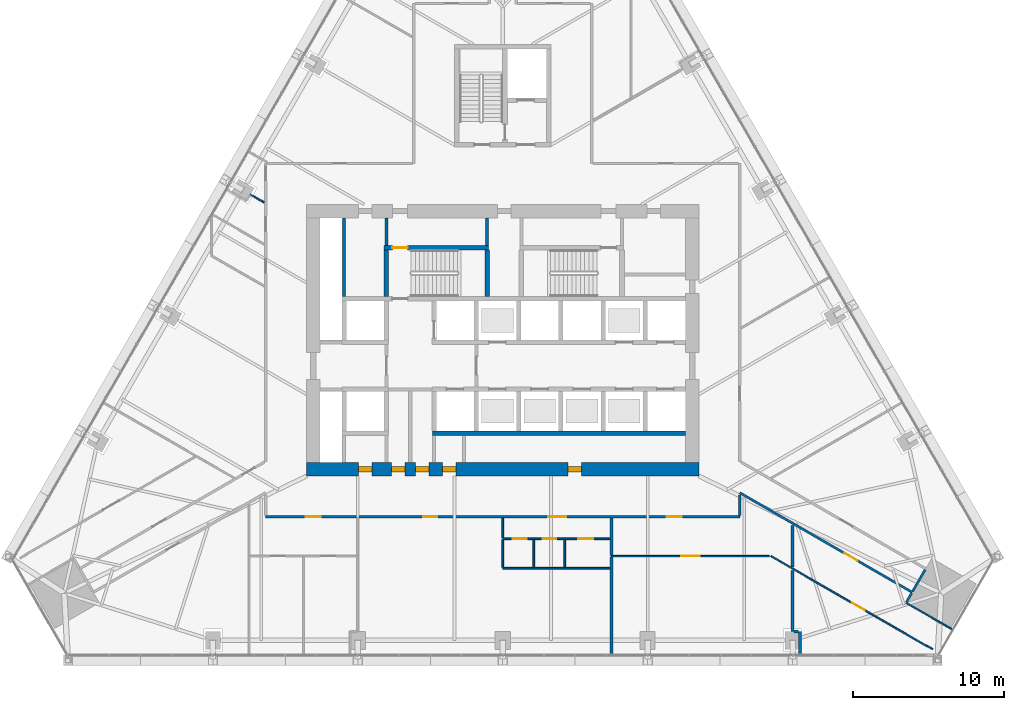
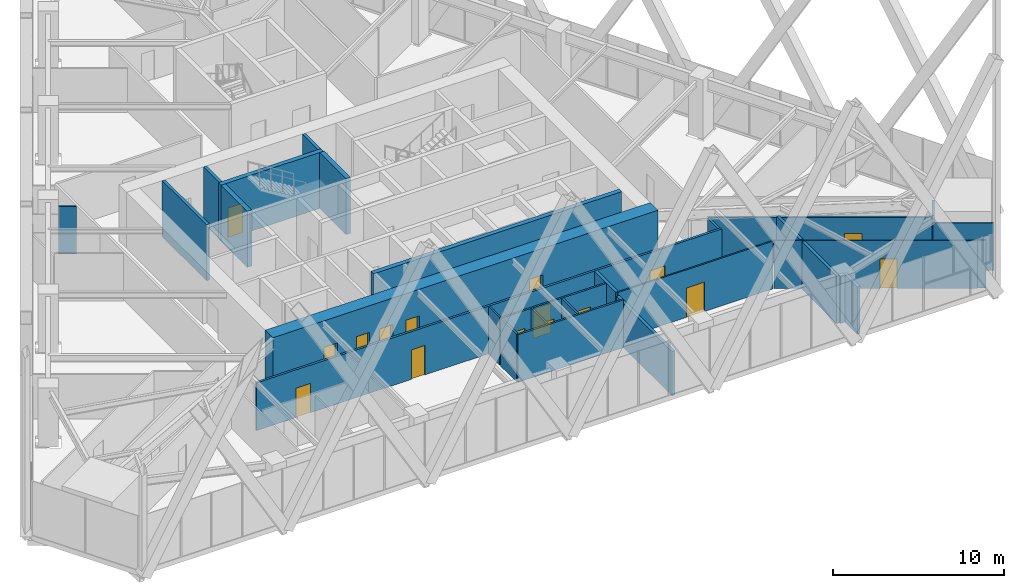
# One storey, part 18 of 26: 30 walls, 16 doors, 16 openings.
"""IFC4 building model written with IfcOpenShell, lengths in metres."""

import ifcopenshell
import ifcopenshell.guid

model = None  # the IFC model being written
_history = None  # IfcOwnerHistory: only IFC2X3 demands one
_inside = {}  # id of a spatial element -> (the spatial element, [elements in it])
_under = {}  # id of a project, library or spatial element -> (it, [spatial elements below it])
_declared = {}  # id of a project -> (the project, [libraries it declares])
_typed = {}  # id of a type object -> (the type object, [elements of that type])
_made_of = {}  # id of a material, layer set ... -> (it, [elements and type objects made of it])


def new_model(schema):
    """Start an empty IFC model of exactly this schema.

    Asked for "IFC4X3", IfcOpenShell would pick the latest addendum, in which some entities
    have other attributes; the version numbers below select the first issue.
    IFC2X3 requires an IfcOwnerHistory on every rooted entity: one is made here for all.
    """
    global model, _history
    if schema == "IFC4X3":
        model = ifcopenshell.file(schema_version=(4, 3, 0, 0))
    else:
        model = ifcopenshell.file(schema=schema)
    _inside.clear()
    _under.clear()
    _declared.clear()
    _typed.clear()
    _made_of.clear()
    _history = None
    if model.schema == "IFC2X3":
        org = make("IfcOrganization", Name="unknown")
        user = make(
            "IfcPersonAndOrganization",
            ThePerson=make("IfcPerson", FamilyName="unknown"),
            TheOrganization=org,
        )
        app = make(
            "IfcApplication",
            ApplicationDeveloper=org,
            Version="unknown",
            ApplicationFullName="unknown",
            ApplicationIdentifier="unknown",
        )
        _history = make(
            "IfcOwnerHistory",
            OwningUser=user,
            OwningApplication=app,
            ChangeAction="ADDED",
            CreationDate=0,
        )
    return model


def make(cls, **values):
    """One entity of the class cls with the attributes given. An attribute that is None is left unset."""
    return model.create_entity(
        cls, **{name: value for name, value in values.items() if value is not None}
    )


def rooted(cls, **values):
    """An entity with a GlobalId (a new one), such as an element, a storey or a relation."""
    return make(cls, GlobalId=ifcopenshell.guid.new(), OwnerHistory=_history, **values)


def si_unit(unit_type, name, prefix=None):
    """IfcSIUnit, for example si_unit("LENGTHUNIT", "METRE", prefix="MILLI")."""
    return make("IfcSIUnit", UnitType=unit_type, Prefix=prefix, Name=name)


def assignment(units):
    """IfcUnitAssignment: the units of a project."""
    return None if units is None else make("IfcUnitAssignment", Units=units)


def point(xyz):
    """IfcCartesianPoint."""
    return None if xyz is None else make("IfcCartesianPoint", Coordinates=xyz)


def direction(xyz):
    """IfcDirection."""
    return None if xyz is None else make("IfcDirection", DirectionRatios=xyz)


def frame(location, z_axis=None, x_axis=None):
    """IfcAxis2Placement3D, a coordinate frame: its origin and axes. An axis left out is left unset."""
    return make(
        "IfcAxis2Placement3D",
        Location=point(location),
        Axis=direction(z_axis),
        RefDirection=direction(x_axis),
    )


def frame_2d(location, x_axis=None):
    """IfcAxis2Placement2D, a coordinate frame in the plane: its origin and x axis."""
    return make(
        "IfcAxis2Placement2D", Location=point(location), RefDirection=direction(x_axis)
    )


def origin():
    """The frame at (0, 0, 0) with its axes left unset."""
    return frame((0.0, 0.0, 0.0))


def place(relative_to, where):
    """IfcLocalPlacement: puts the frame where relative to a parent placement (None: the world)."""
    return make(
        "IfcLocalPlacement", PlacementRelTo=relative_to, RelativePlacement=where
    )


def context(
    kind, dimensions, precision=None, world=None, true_north=None, identifier=None
):
    """IfcGeometricRepresentationContext, for example the 3D "Model" context."""
    return make(
        "IfcGeometricRepresentationContext",
        ContextIdentifier=identifier,
        ContextType=kind,
        CoordinateSpaceDimension=dimensions,
        Precision=precision,
        WorldCoordinateSystem=world,
        TrueNorth=true_north,
    )


def subcontext(parent, identifier, kind, view, scale=None):
    """IfcGeometricRepresentationSubContext, for example "Body" below "Model"."""
    return make(
        "IfcGeometricRepresentationSubContext",
        ContextIdentifier=identifier,
        ContextType=kind,
        ParentContext=parent,
        TargetScale=scale,
        TargetView=view,
    )


def project(units=None, contexts=None):
    """IfcProject with its units and contexts."""
    return rooted(
        "IfcProject",
        Name="project",
        RepresentationContexts=contexts,
        UnitsInContext=assignment(units),
    )


def spatial(cls, under=None, at=None, **own):
    """A site, building, storey or space (cls), placed at a placement, below another one or the project."""
    s = rooted(cls, ObjectPlacement=at, **own)
    if under is not None:
        _under.setdefault(under.id(), (under, []))[1].append(s)
    return s


def profile(cls, at=None, kind="AREA", **sizes):
    """A parametric profile (cls). Its sizes go by their IFC names, for example OverallWidth=200.0."""
    return make(cls, ProfileType=kind, Position=at, **sizes)


def rectangle(**sizes):
    """IfcRectangleProfileDef."""
    return profile("IfcRectangleProfileDef", **sizes)


def extrude(swept, where, along, depth):
    """IfcExtrudedAreaSolid: the profile swept, set in the frame where, extruded along a direction by depth."""
    return make(
        "IfcExtrudedAreaSolid",
        SweptArea=swept,
        Position=where,
        ExtrudedDirection=direction(along),
        Depth=depth,
    )


def shape(context_of_items, identifier, shape_type, items):
    """IfcShapeRepresentation: the items that make up one representation, for example the "Body"."""
    return make(
        "IfcShapeRepresentation",
        ContextOfItems=context_of_items,
        RepresentationIdentifier=identifier,
        RepresentationType=shape_type,
        Items=items,
    )


def material(Name=None, Category=None):
    """IfcMaterial."""
    return make("IfcMaterial", Name=Name, Category=Category)


def layer(
    of_material, thickness, ventilated=None, Name=None, Category=None, Priority=None
):
    """IfcMaterialLayer: one layer of a wall or slab, of a material (None: an air gap)."""
    return make(
        "IfcMaterialLayer",
        Material=of_material,
        LayerThickness=thickness,
        IsVentilated=ventilated,
        Name=Name,
        Category=Category,
        Priority=Priority,
    )


def layer_set(layers, Name=None):
    """IfcMaterialLayerSet."""
    return make("IfcMaterialLayerSet", MaterialLayers=layers, LayerSetName=Name)


def made_of(thing, what):
    """Note that an element or type object is made of a material, layer set ...; save() writes the relation."""
    if what is not None:
        _made_of.setdefault(what.id(), (what, []))[1].append(thing)
    return thing


def type_object(cls, material=None, **own):
    """A type object (cls), such as IfcWallType, which elements share."""
    return made_of(rooted(cls, **own), material)


def element(
    cls,
    number,
    at=None,
    inside=None,
    cuts=None,
    type_object=None,
    material=None,
    context=None,
    identifier="Body",
    shape_type=None,
    held_by="IfcProductDefinitionShape",
    body=None,
    shapes=None,
    **own,
):
    """One element of the class cls, such as IfcWall. Its Tag is "e" and its number.

    at: its placement. inside: the storey or other place that contains it. cuts: it is an
    opening in that element (IfcRelVoidsElement). A single representation is given by context,
    identifier, shape_type and body (its items); several are given by shapes. held_by: the class
    of the entity that holds the representations. save() writes the other relations.
    """
    e = rooted(cls, Tag="e%d" % number, ObjectPlacement=at, **own)
    if body is not None:
        shapes = [shape(context, identifier, shape_type, body)]
    if shapes is not None:
        e.Representation = make(held_by, Representations=shapes)
    if inside is not None:
        _inside.setdefault(inside.id(), (inside, []))[1].append(e)
    if cuts is not None:
        rooted(
            "IfcRelVoidsElement", RelatingBuildingElement=cuts, RelatedOpeningElement=e
        )
    if type_object is not None:
        _typed.setdefault(type_object.id(), (type_object, []))[1].append(e)
    return made_of(e, material)


def fill(opening, filler):
    """IfcRelFillsElement: the door or window that sits in an opening."""
    return rooted(
        "IfcRelFillsElement",
        RelatingOpeningElement=opening,
        RelatedBuildingElement=filler,
    )


def aggregate(whole, parts):
    """IfcRelAggregates: a whole, such as a stair, and the parts it consists of."""
    return rooted("IfcRelAggregates", RelatingObject=whole, RelatedObjects=parts)


def save(model, path):
    """Write the relations noted so far, then the file.

    IfcRelAggregates (storeys below a building ...), IfcRelContainedInSpatialStructure (elements
    in a storey), IfcRelDefinesByType, IfcRelAssociatesMaterial and IfcRelDeclares: one each for
    every whole, place, type object, material and project.
    """
    for whole, parts in _under.values():
        aggregate(whole, parts)
    for where, things in _inside.values():
        rooted(
            "IfcRelContainedInSpatialStructure",
            RelatedElements=things,
            RelatingStructure=where,
        )
    for kind, things in _typed.values():
        rooted("IfcRelDefinesByType", RelatedObjects=things, RelatingType=kind)
    for what, things in _made_of.values():
        rooted("IfcRelAssociatesMaterial", RelatedObjects=things, RelatingMaterial=what)
    for by, libraries in _declared.values():
        rooted("IfcRelDeclares", RelatingContext=by, RelatedDefinitions=libraries)
    model.write(path)


model = new_model("IFC4")

# Units and contexts
model_context = context("Model", 3, precision=1e-05, world=origin(), true_north=direction((0.0, 1.0)))
body_context = subcontext(model_context, "Body", "Model", "MODEL_VIEW")
ifc_project = project(units=[si_unit("LENGTHUNIT", "METRE"), si_unit("AREAUNIT", "SQUARE_METRE"), si_unit("VOLUMEUNIT", "CUBIC_METRE"), si_unit("PLANEANGLEUNIT", "RADIAN"), si_unit("MASSUNIT", "GRAM", prefix="KILO")], contexts=[model_context])

# Site, building, storey
site_placement = place(None, origin())
site = spatial("IfcSite", under=ifc_project, at=site_placement, CompositionType="ELEMENT")
building_placement = place(site_placement, origin())
building = spatial("IfcBuilding", under=site, at=building_placement, Name="Firuza Gate Tower and Library", CompositionType="ELEMENT")
storey_placement = place(building_placement, frame((0.0, 0.0, 40.0)))
storey = spatial("IfcBuildingStorey", under=building, at=storey_placement, Name="L08", CompositionType="ELEMENT", Elevation=40.0)

# Walls
ifc_material_1 = material(Name="Plasterboard on steel studs", Category="steel")
ifc_layer_1 = layer(ifc_material_1, 0.199951171875)
ifc_layer_set_1 = layer_set([ifc_layer_1], Name="Core partition 200 EI 120")
wall_type_1 = type_object("IfcWallType", Name="Core partition 200 EI 120", PredefinedType="PARTITIONING", material=ifc_layer_set_1)
wall_1_placement = place(storey_placement, frame((64.5, 77.89990234375, 0.0), z_axis=(0.0, 0.0, 1.0), x_axis=(0.0, 1.0, 0.0)))
element("IfcWall", 1, at=wall_1_placement, inside=storey, type_object=wall_type_1, Name="Core partition L08 6", PredefinedType="PARTITIONING", context=body_context, shape_type="SweptSolid", body=[
    extrude(rectangle(XDim=5.2001953125, YDim=0.199951171875, at=frame_2d((2.60009765625, 0.0))), origin(), (0.0, 0.0, 1.0), 4.0),
])
for number, where, z_axis, x_axis, name in (
    (2, (67.300048828125, 81.280029296875, 0.0), (0.0, 0.0, 1.0), (0.0, 1.0, 0.0), "Core partition L08 9"),
    (3, (73.9599609375, 81.280029296875, 0.0), (0.0, 0.0, 1.0), (0.0, 1.0, 0.0), "Core partition L08 14"),
):
    element("IfcWall", number, at=place(storey_placement, frame(where, z_axis=z_axis, x_axis=x_axis)), inside=storey, type_object=wall_type_1, Name=name, PredefinedType="PARTITIONING", context=body_context, shape_type="SweptSolid", body=[
        extrude(rectangle(XDim=1.820068359375, YDim=0.199951171875, at=frame_2d((0.91015625, 0.0))), origin(), (0.0, 0.0, 1.0), 4.0),
    ])
ifc_material_2 = material(Name="Concrete C80/95", Category="concrete")
ifc_layer_2 = layer(ifc_material_2, 0.300048828125)
ifc_layer_set_2 = layer_set([ifc_layer_2], Name="Core wall 300 C80/95")
wall_type_2 = type_object("IfcWallType", Name="Core wall 300 C80/95", PredefinedType="SHEAR", material=ifc_layer_set_2)
wall_2_placement = place(storey_placement, frame((70.35009765625, 68.85009765625, 0.0), z_axis=(0.0, 0.0, 1.0), x_axis=(1.0, 0.0, 0.0)))
element("IfcWall", 4, at=wall_2_placement, inside=storey, type_object=wall_type_2, Name="Core wall L08 6", PredefinedType="SHEAR", context=body_context, shape_type="SweptSolid", body=[
    extrude(rectangle(XDim=16.75, YDim=0.300048828125, at=frame_2d((8.375, 0.0))), origin(), (0.0, 0.0, 1.0), 4.0),
])

# Wall, opening, door
wall_3_placement = place(storey_placement, frame((67.14990234375, 81.1298828125, 0.0), z_axis=(0.0, 0.0, 1.0), x_axis=(1.0, 0.0, 0.0)))
wall_3 = element("IfcWall", 5, at=wall_3_placement, inside=storey, type_object=wall_type_2, Name="Core wall L08 28", PredefinedType="SHEAR", context=body_context, shape_type="SweptSolid", body=[
    extrude(rectangle(XDim=6.91015625, YDim=0.300048828125, at=frame_2d((3.455078125, 0.0))), origin(), (0.0, 0.0, 1.0), 4.0),
])
opening_1_placement = place(wall_3_placement, frame((0.544921875, 0.0, 0.0)))
opening_1 = element("IfcOpeningElement", 6, at=opening_1_placement, cuts=wall_3, Name="Opening L08-K13", PredefinedType="OPENING", context=body_context, shape_type="SweptSolid", body=[
    extrude(rectangle(XDim=1.0, YDim=2.10009765625, at=frame_2d((0.5, 1.050048828125))), frame((0.0, 0.16015625, 0.0), z_axis=(0.0, -1.0, 0.0), x_axis=(1.0, 0.0, 0.0)), (0.0, 0.0, 1.0), 0.320068359375),
])
ifc_material_3 = material(Name="Steel", Category="steel")
door_type_1 = type_object("IfcDoorType", Name="Fire door 1000x2100 FD90", OperationType="NOTDEFINED", PredefinedType="DOOR", material=ifc_material_3)
door_1_placement = place(opening_1_placement, origin())
door_1 = element("IfcDoor", 7, at=door_1_placement, inside=storey, type_object=door_type_1, Name="Door L08-K13", OperationType="SINGLE_SWING_RIGHT", OverallHeight=2.10009765625, OverallWidth=1.0, PredefinedType="DOOR", context=body_context, shape_type="SweptSolid", body=[
    extrude(rectangle(XDim=1.0, YDim=2.10009765625, at=frame_2d((0.5, 1.050048828125))), frame((0.0, 0.02490234375, 0.0), z_axis=(0.0, -1.0, 0.0), x_axis=(1.0, 0.0, 0.0)), (0.0, 0.0, 1.0), 0.050048828125),
])
fill(opening_1, door_1)

# Walls
for number, where, z_axis, x_axis, name in (
    (8, (67.300048828125, 77.89990234375, 0.0), (0.0, 0.0, 1.0), (0.0, 1.0, 0.0), "Core wall L08 30"),
    (9, (73.9599609375, 77.89990234375, 0.0), (0.0, 0.0, 1.0), (0.0, 1.0, 0.0), "Core wall L08 31"),
):
    element("IfcWall", number, at=place(storey_placement, frame(where, z_axis=z_axis, x_axis=x_axis)), inside=storey, type_object=wall_type_2, Name=name, PredefinedType="SHEAR", context=body_context, shape_type="SweptSolid", body=[
        extrude(rectangle(XDim=3.080078125, YDim=0.300048828125, at=frame_2d((1.5400390625, 0.0))), origin(), (0.0, 0.0, 1.0), 4.0),
    ])

# Wall, openings, doors
ifc_material_4 = material(Name="Concrete C80/95", Category="concrete")
ifc_layer_3 = layer(ifc_material_4, 0.89990234375)
ifc_layer_set_3 = layer_set([ifc_layer_3], Name="Core wall 900 C80/95")
wall_type_3 = type_object("IfcWallType", Name="Core wall 900 C80/95", PredefinedType="SHEAR", material=ifc_layer_set_3)
wall_4_placement = place(storey_placement, frame((62.0, 66.449951171875, 0.0), z_axis=(0.0, 0.0, 1.0), x_axis=(1.0, 0.0, 0.0)))
wall_4 = element("IfcWall", 10, at=wall_4_placement, inside=storey, type_object=wall_type_3, Name="Core wall L08 1", PredefinedType="SHEAR", context=body_context, shape_type="SweptSolid", body=[
    extrude(rectangle(XDim=26.0, YDim=0.89990234375, at=frame_2d((13.0, 0.0))), origin(), (0.0, 0.0, 1.0), 4.0),
])
opening_2_placement = place(wall_4_placement, frame((3.449951171875, 0.0, 0.0)))
opening_2 = element("IfcOpeningElement", 11, at=opening_2_placement, cuts=wall_4, Name="Opening L08-K24", PredefinedType="OPENING", context=body_context, shape_type="SweptSolid", body=[
    extrude(rectangle(XDim=0.89990234375, YDim=2.10009765625, at=frame_2d((0.449951171875, 1.050048828125))), frame((0.0, 0.4599609375, 0.0), z_axis=(0.0, -1.0, 0.0), x_axis=(1.0, 0.0, 0.0)), (0.0, 0.0, 1.0), 0.919921875),
])
opening_3_placement = place(wall_4_placement, frame((5.637451171875, 0.0, 0.0)))
opening_3 = element("IfcOpeningElement", 12, at=opening_3_placement, cuts=wall_4, Name="Opening L08-K25", PredefinedType="OPENING", context=body_context, shape_type="SweptSolid", body=[
    extrude(rectangle(XDim=0.89990234375, YDim=2.10009765625, at=frame_2d((0.449951171875, 1.050048828125))), frame((0.0, 0.4599609375, 0.0), z_axis=(0.0, -1.0, 0.0), x_axis=(1.0, 0.0, 0.0)), (0.0, 0.0, 1.0), 0.919921875),
])
opening_4_placement = place(wall_4_placement, frame((7.21240234375, 0.0, 0.0)))
opening_4 = element("IfcOpeningElement", 13, at=opening_4_placement, cuts=wall_4, Name="Opening L08-K26", PredefinedType="OPENING", context=body_context, shape_type="SweptSolid", body=[
    extrude(rectangle(XDim=0.89990234375, YDim=2.10009765625, at=frame_2d((0.449951171875, 1.050048828125))), frame((0.0, 0.4599609375, 0.0), z_axis=(0.0, -1.0, 0.0), x_axis=(1.0, 0.0, 0.0)), (0.0, 0.0, 1.0), 0.919921875),
])
opening_5_placement = place(wall_4_placement, frame((8.9990234375, 0.0, 0.0)))
opening_5 = element("IfcOpeningElement", 14, at=opening_5_placement, cuts=wall_4, Name="Opening L08-K27", PredefinedType="OPENING", context=body_context, shape_type="SweptSolid", body=[
    extrude(rectangle(XDim=0.89990234375, YDim=2.10009765625, at=frame_2d((0.449951171875, 1.050048828125))), frame((0.0, 0.4599609375, 0.0), z_axis=(0.0, -1.0, 0.0), x_axis=(1.0, 0.0, 0.0)), (0.0, 0.0, 1.0), 0.919921875),
])
opening_6_placement = place(wall_4_placement, frame((17.323974609375, 0.0, 0.0)))
opening_6 = element("IfcOpeningElement", 15, at=opening_6_placement, cuts=wall_4, Name="Opening L08-K28", PredefinedType="OPENING", context=body_context, shape_type="SweptSolid", body=[
    extrude(rectangle(XDim=0.89990234375, YDim=2.10009765625, at=frame_2d((0.449951171875, 1.050048828125))), frame((0.0, 0.4599609375, 0.0), z_axis=(0.0, -1.0, 0.0), x_axis=(1.0, 0.0, 0.0)), (0.0, 0.0, 1.0), 0.919921875),
])
ifc_material_5 = material(Name="Steel", Category="steel")
door_type_2 = type_object("IfcDoorType", Name="Fire door 900x2100 FD30S", OperationType="NOTDEFINED", PredefinedType="DOOR", material=ifc_material_5)
door_2_placement = place(opening_2_placement, origin())
door_2 = element("IfcDoor", 16, at=door_2_placement, inside=storey, type_object=door_type_2, Name="Door L08-K24", OperationType="SINGLE_SWING_LEFT", OverallHeight=2.10009765625, OverallWidth=0.89990234375, PredefinedType="DOOR", context=body_context, shape_type="SweptSolid", body=[
    extrude(rectangle(XDim=0.89990234375, YDim=2.10009765625, at=frame_2d((0.449951171875, 1.050048828125))), frame((0.0, 0.169921875, 0.0), z_axis=(0.0, -1.0, 0.0), x_axis=(1.0, 0.0, 0.0)), (0.0, 0.0, 1.0), 0.33984375),
])
fill(opening_2, door_2)
door_3_placement = place(opening_3_placement, origin())
door_3 = element("IfcDoor", 17, at=door_3_placement, inside=storey, type_object=door_type_2, Name="Door L08-K25", OperationType="SINGLE_SWING_RIGHT", OverallHeight=2.10009765625, OverallWidth=0.89990234375, PredefinedType="DOOR", context=body_context, shape_type="SweptSolid", body=[
    extrude(rectangle(XDim=0.89990234375, YDim=2.10009765625, at=frame_2d((0.449951171875, 1.050048828125))), frame((0.0, 0.169921875, 0.0), z_axis=(0.0, -1.0, 0.0), x_axis=(1.0, 0.0, 0.0)), (0.0, 0.0, 1.0), 0.33984375),
])
fill(opening_3, door_3)
door_4_placement = place(opening_4_placement, origin())
door_4 = element("IfcDoor", 18, at=door_4_placement, inside=storey, type_object=door_type_2, Name="Door L08-K26", OperationType="SINGLE_SWING_LEFT", OverallHeight=2.10009765625, OverallWidth=0.89990234375, PredefinedType="DOOR", context=body_context, shape_type="SweptSolid", body=[
    extrude(rectangle(XDim=0.89990234375, YDim=2.10009765625, at=frame_2d((0.449951171875, 1.050048828125))), frame((0.0, 0.169921875, 0.0), z_axis=(0.0, -1.0, 0.0), x_axis=(1.0, 0.0, 0.0)), (0.0, 0.0, 1.0), 0.33984375),
])
fill(opening_4, door_4)
door_5_placement = place(opening_5_placement, origin())
door_5 = element("IfcDoor", 19, at=door_5_placement, inside=storey, type_object=door_type_2, Name="Door L08-K27", OperationType="SINGLE_SWING_RIGHT", OverallHeight=2.10009765625, OverallWidth=0.89990234375, PredefinedType="DOOR", context=body_context, shape_type="SweptSolid", body=[
    extrude(rectangle(XDim=0.89990234375, YDim=2.10009765625, at=frame_2d((0.449951171875, 1.050048828125))), frame((0.0, 0.169921875, 0.0), z_axis=(0.0, -1.0, 0.0), x_axis=(1.0, 0.0, 0.0)), (0.0, 0.0, 1.0), 0.33984375),
])
fill(opening_5, door_5)
door_6_placement = place(opening_6_placement, origin())
door_6 = element("IfcDoor", 20, at=door_6_placement, inside=storey, type_object=door_type_2, Name="Door L08-K28", OperationType="SINGLE_SWING_LEFT", OverallHeight=2.10009765625, OverallWidth=0.89990234375, PredefinedType="DOOR", context=body_context, shape_type="SweptSolid", body=[
    extrude(rectangle(XDim=0.89990234375, YDim=2.10009765625, at=frame_2d((0.449951171875, 1.050048828125))), frame((0.0, 0.169921875, 0.0), z_axis=(0.0, -1.0, 0.0), x_axis=(1.0, 0.0, 0.0)), (0.0, 0.0, 1.0), 0.33984375),
])
fill(opening_6, door_6)

ifc_material_6 = material(Name="Gypsum board partition")
ifc_layer_4 = layer(ifc_material_6, 0.14990234375)
ifc_layer_set_4 = layer_set([ifc_layer_4], Name="Corridor wall 150 double board on steel studs")
wall_type_4 = type_object("IfcWallType", Name="Corridor wall 150 double board on steel studs", PredefinedType="PARTITIONING", material=ifc_layer_set_4)
wall_5_placement = place(storey_placement, frame((90.699951171875, 63.300048828125, 0.0), z_axis=(0.0, 0.0, 1.0), x_axis=(-1.0, 0.0, 0.0)))
wall_5 = element("IfcWall", 21, at=wall_5_placement, inside=storey, type_object=wall_type_4, Name="f:L08:w006", PredefinedType="PARTITIONING", context=body_context, shape_type="SweptSolid", body=[
    extrude(rectangle(XDim=31.39990234375, YDim=0.14990234375, at=frame_2d((15.699951171875, 0.0))), origin(), (0.0, 0.0, 1.0), 3.39990234375),
])
opening_7_placement = place(wall_5_placement, frame((3.8515625, 0.0, 0.0)))
opening_7 = element("IfcOpeningElement", 22, at=opening_7_placement, cuts=wall_5, Name="Opening L08-07", PredefinedType="OPENING", context=body_context, shape_type="SweptSolid", body=[
    extrude(rectangle(XDim=1.0, YDim=2.10009765625, at=frame_2d((0.5, 1.050048828125))), frame((0.0, 0.0849609375, 0.0), z_axis=(0.0, -1.0, 0.0), x_axis=(1.0, 0.0, 0.0)), (0.0, 0.0, 1.0), 0.169921875),
])
opening_8_placement = place(wall_5_placement, frame((11.5, 0.0, 0.0)))
opening_8 = element("IfcOpeningElement", 23, at=opening_8_placement, cuts=wall_5, Name="Opening L08-08", PredefinedType="OPENING", context=body_context, shape_type="SweptSolid", body=[
    extrude(rectangle(XDim=1.199951171875, YDim=2.10009765625, at=frame_2d((0.60009765625, 1.050048828125))), frame((0.0, 0.0849609375, 0.0), z_axis=(0.0, -1.0, 0.0), x_axis=(1.0, 0.0, 0.0)), (0.0, 0.0, 1.0), 0.169921875),
])
opening_9_placement = place(wall_5_placement, frame((20.050048828125, 0.0, 0.0)))
opening_9 = element("IfcOpeningElement", 24, at=opening_9_placement, cuts=wall_5, Name="Opening L08-09", PredefinedType="OPENING", context=body_context, shape_type="SweptSolid", body=[
    extrude(rectangle(XDim=0.89990234375, YDim=2.10009765625, at=frame_2d((0.449951171875, 1.050048828125))), frame((0.0, 0.0849609375, 0.0), z_axis=(0.0, -1.0, 0.0), x_axis=(1.0, 0.0, 0.0)), (0.0, 0.0, 1.0), 0.169921875),
])
opening_10_placement = place(wall_5_placement, frame((27.74853515625, 0.0, 0.0)))
opening_10 = element("IfcOpeningElement", 25, at=opening_10_placement, cuts=wall_5, Name="Opening L08-10", PredefinedType="OPENING", context=body_context, shape_type="SweptSolid", body=[
    extrude(rectangle(XDim=1.0, YDim=2.10009765625, at=frame_2d((0.5, 1.050048828125))), frame((0.0, 0.0849609375, 0.0), z_axis=(0.0, -1.0, 0.0), x_axis=(1.0, 0.0, 0.0)), (0.0, 0.0, 1.0), 0.169921875),
])
ifc_material_7 = material(Name="Steel door and timber leaf", Category="steel")
door_type_3 = type_object("IfcDoorType", Name="Fire door 1000 x 2100 steel frame, timber leaf", OperationType="NOTDEFINED", PredefinedType="DOOR", material=ifc_material_7)
door_7_placement = place(opening_7_placement, origin())
door_7 = element("IfcDoor", 26, at=door_7_placement, inside=storey, type_object=door_type_3, Name="f:L08:d007", OperationType="SINGLE_SWING_RIGHT", OverallHeight=2.10009765625, OverallWidth=1.0, PredefinedType="DOOR", context=body_context, shape_type="SweptSolid", body=[
    extrude(rectangle(XDim=1.0, YDim=2.10009765625, at=frame_2d((0.5, 1.050048828125))), frame((0.0, 0.02490234375, 0.0), z_axis=(0.0, -1.0, 0.0), x_axis=(1.0, 0.0, 0.0)), (0.0, 0.0, 1.0), 0.050048828125),
])
fill(opening_7, door_7)
door_8_placement = place(opening_10_placement, origin())
door_8 = element("IfcDoor", 27, at=door_8_placement, inside=storey, type_object=door_type_3, Name="f:L08:d010", OperationType="SINGLE_SWING_LEFT", OverallHeight=2.10009765625, OverallWidth=1.0, PredefinedType="DOOR", context=body_context, shape_type="SweptSolid", body=[
    extrude(rectangle(XDim=1.0, YDim=2.10009765625, at=frame_2d((0.5, 1.050048828125))), frame((0.0, 0.02490234375, 0.0), z_axis=(0.0, -1.0, 0.0), x_axis=(1.0, 0.0, 0.0)), (0.0, 0.0, 1.0), 0.050048828125),
])
fill(opening_10, door_8)
ifc_material_8 = material(Name="Steel door and timber leaf", Category="steel")
door_type_4 = type_object("IfcDoorType", Name="Fire door 1200 x 2100 steel frame, double leaf", OperationType="NOTDEFINED", PredefinedType="DOOR", material=ifc_material_8)
door_9_placement = place(opening_8_placement, origin())
door_9 = element("IfcDoor", 28, at=door_9_placement, inside=storey, type_object=door_type_4, Name="f:L08:d008", OperationType="DOUBLE_DOOR_SINGLE_SWING", OverallHeight=2.10009765625, OverallWidth=1.199951171875, PredefinedType="DOOR", context=body_context, shape_type="SweptSolid", body=[
    extrude(rectangle(XDim=1.199951171875, YDim=2.10009765625, at=frame_2d((0.60009765625, 1.050048828125))), frame((0.0, 0.02490234375, 0.0), z_axis=(0.0, -1.0, 0.0), x_axis=(1.0, 0.0, 0.0)), (0.0, 0.0, 1.0), 0.050048828125),
])
fill(opening_8, door_9)
ifc_material_9 = material(Name="Steel door and timber leaf", Category="steel")
door_type_5 = type_object("IfcDoorType", Name="Fire door 900 x 2100 steel frame, timber leaf", OperationType="NOTDEFINED", PredefinedType="DOOR", material=ifc_material_9)
door_10_placement = place(opening_9_placement, origin())
door_10 = element("IfcDoor", 29, at=door_10_placement, inside=storey, type_object=door_type_5, Name="f:L08:d009", OperationType="SINGLE_SWING_RIGHT", OverallHeight=2.10009765625, OverallWidth=0.89990234375, PredefinedType="DOOR", context=body_context, shape_type="SweptSolid", body=[
    extrude(rectangle(XDim=0.89990234375, YDim=2.10009765625, at=frame_2d((0.449951171875, 1.050048828125))), frame((0.0, 0.02490234375, 0.0), z_axis=(0.0, -1.0, 0.0), x_axis=(1.0, 0.0, 0.0)), (0.0, 0.0, 1.0), 0.050048828125),
])
fill(opening_9, door_10)

# Walls
wall_6_placement = place(storey_placement, frame((101.744384765625, 57.654541015625, 0.0), z_axis=(0.0, 0.0, 1.0), x_axis=(0.500108776725, 0.865962592404, 0.0)))
element("IfcWall", 30, at=wall_6_placement, inside=storey, type_object=wall_type_4, Name="f:L08:w026", PredefinedType="PARTITIONING", context=body_context, shape_type="SweptSolid", body=[
    extrude(rectangle(XDim=0.674560546875, YDim=0.14990234375, at=frame_2d((0.33740234375, 0.0))), origin(), (0.0, 0.0, 1.0), 3.39990234375),
])
wall_7_placement = place(storey_placement, frame((90.699951171875, 63.375, 0.0), z_axis=(0.0, 0.0, 1.0), x_axis=(0.0, 1.0, 0.0)))
element("IfcWall", 31, at=wall_7_placement, inside=storey, type_object=wall_type_4, Name="f:L08:w030", PredefinedType="PARTITIONING", context=body_context, shape_type="SweptSolid", body=[
    extrude(rectangle(XDim=1.384765625, YDim=0.14990234375, at=frame_2d((0.6923828125, 0.0))), origin(), (0.0, 0.0, 1.0), 3.2470703125),
])

# Wall, opening, door
wall_8_placement = place(storey_placement, frame((102.118408203125, 58.303955078125, 0.0), z_axis=(0.0, 0.0, 1.0), x_axis=(-0.866022774611, 0.500004553834, 0.0)))
wall_8 = element("IfcWall", 32, at=wall_8_placement, inside=storey, type_object=wall_type_4, Name="f:L08:w059", PredefinedType="PARTITIONING", context=body_context, shape_type="SweptSolid", body=[
    extrude(rectangle(XDim=13.18505859375, YDim=0.14990234375, at=frame_2d((6.592529296875, 0.0))), origin(), (0.0, 0.0, 1.0), 3.2470703125),
])
opening_11_placement = place(wall_8_placement, frame((4.17333984375, 0.0, 0.0)))
opening_11 = element("IfcOpeningElement", 33, at=opening_11_placement, cuts=wall_8, Name="Opening L08-29", PredefinedType="OPENING", context=body_context, shape_type="SweptSolid", body=[
    extrude(rectangle(XDim=1.0, YDim=2.10009765625, at=frame_2d((0.5, 1.050048828125))), frame((0.0, 0.0849609375, 0.0), z_axis=(0.0, -1.0, 0.0), x_axis=(1.0, 0.0, 0.0)), (0.0, 0.0, 1.0), 0.169921875),
])
door_11_placement = place(opening_11_placement, origin())
door_11 = element("IfcDoor", 34, at=door_11_placement, inside=storey, type_object=door_type_3, Name="f:L08:d029", OperationType="SINGLE_SWING_LEFT", OverallHeight=2.10009765625, OverallWidth=1.0, PredefinedType="DOOR", context=body_context, shape_type="SweptSolid", body=[
    extrude(rectangle(XDim=1.0, YDim=2.10009765625, at=frame_2d((0.5, 1.050048828125))), frame((0.0, 0.02490234375, 0.0), z_axis=(0.0, -1.0, 0.0), x_axis=(1.0, 0.0, 0.0)), (0.0, 0.0, 1.0), 0.050048828125),
])
fill(opening_11, door_11)

# Walls
wall_9_placement = place(storey_placement, frame((102.15673828125, 58.36865234375, 0.0), z_axis=(0.0, 0.0, 1.0), x_axis=(0.500055614084, 0.865993292597, 0.0)))
element("IfcWall", 35, at=wall_9_placement, inside=storey, type_object=wall_type_4, Name="f:L08:w072", PredefinedType="PARTITIONING", context=body_context, shape_type="SweptSolid", body=[
    extrude(rectangle(XDim=1.649169921875, YDim=0.14990234375, at=frame_2d((0.82470703125, 0.0))), origin(), (0.0, 0.0, 1.0), 3.2470703125),
])
ifc_material_10 = material(Name="Gypsum board partition")
ifc_layer_5 = layer(ifc_material_10, 0.199951171875)
ifc_layer_set_5 = layer_set([ifc_layer_5], Name="Demising wall 200 acoustic double stud")
wall_type_5 = type_object("IfcWallType", Name="Demising wall 200 acoustic double stud", PredefinedType="PARTITIONING", material=ifc_layer_set_5)
wall_10_placement = place(storey_placement, frame((94.300048828125, 55.715087890625, 0.0), z_axis=(0.0, 0.0, 1.0), x_axis=(1.0, 0.0, 0.0)))
element("IfcWall", 36, at=wall_10_placement, inside=storey, type_object=wall_type_5, Name="f:L08:w001", PredefinedType="PARTITIONING", context=body_context, shape_type="SweptSolid", body=[
    extrude(rectangle(XDim=0.299560546875, YDim=0.199951171875, at=frame_2d((0.14990234375, 0.0))), origin(), (0.0, 0.0, 1.0), 3.39990234375),
])
wall_11_placement = place(storey_placement, frame((94.699951171875, 54.1552734375, 0.0), z_axis=(0.0, 0.0, 1.0), x_axis=(0.0, 1.0, 0.0)))
element("IfcWall", 37, at=wall_11_placement, inside=storey, type_object=wall_type_5, Name="f:L08:w028", PredefinedType="PARTITIONING", context=body_context, shape_type="SweptSolid", body=[
    extrude(rectangle(XDim=1.5595703125, YDim=0.199951171875, at=frame_2d((0.77978515625, 0.0))), origin(), (0.0, 0.0, 1.0), 3.39990234375),
])
wall_12_placement = place(storey_placement, frame((94.199951171875, 55.71533203125, 0.0), z_axis=(0.0, 0.0, 1.0), x_axis=(0.0, 1.0, 0.0)))
element("IfcWall", 38, at=wall_12_placement, inside=storey, type_object=wall_type_5, Name="f:L08:w029", PredefinedType="PARTITIONING", context=body_context, shape_type="SweptSolid", body=[
    extrude(rectangle(XDim=4.042724609375, YDim=0.199951171875, at=frame_2d((2.021484375, 0.0))), origin(), (0.0, 0.0, 1.0), 3.39990234375),
])
wall_13_placement = place(storey_placement, frame((82.199951171875, 54.1552734375, 0.0), z_axis=(0.0, 0.0, 1.0), x_axis=(0.0, 1.0, 0.0)))
element("IfcWall", 39, at=wall_13_placement, inside=storey, type_object=wall_type_5, Name="f:L08:w033", PredefinedType="PARTITIONING", context=body_context, shape_type="SweptSolid", body=[
    extrude(rectangle(XDim=6.49462890625, YDim=0.199951171875, at=frame_2d((3.247314453125, 0.0))), origin(), (0.0, 0.0, 1.0), 3.1650390625),
])
wall_14_placement = place(storey_placement, frame((82.199951171875, 60.75, 0.0), z_axis=(0.0, 0.0, 1.0), x_axis=(0.0, 1.0, 0.0)))
element("IfcWall", 40, at=wall_14_placement, inside=storey, type_object=wall_type_5, Name="f:L08:w066", PredefinedType="PARTITIONING", context=body_context, shape_type="SweptSolid", body=[
    extrude(rectangle(XDim=2.47509765625, YDim=0.199951171875, at=frame_2d((1.237548828125, 0.0))), origin(), (0.0, 0.0, 1.0), 3.39990234375),
])
wall_15_placement = place(storey_placement, frame((94.199951171875, 59.989013671875, 0.0), z_axis=(0.0, 0.0, 1.0), x_axis=(0.0, 1.0, 0.0)))
element("IfcWall", 41, at=wall_15_placement, inside=storey, type_object=wall_type_5, Name="f:L08:w073", PredefinedType="PARTITIONING", context=body_context, shape_type="SweptSolid", body=[
    extrude(rectangle(XDim=2.739990234375, YDim=0.199951171875, at=frame_2d((1.3701171875, 0.0))), origin(), (0.0, 0.0, 1.0), 3.39990234375),
])

# Wall, opening, door
ifc_material_11 = material(Name="Gypsum board partition")
ifc_layer_6 = layer(ifc_material_11, 0.10009765625)
ifc_layer_set_6 = layer_set([ifc_layer_6], Name="Partition 100 gypsum board on steel studs")
wall_type_6 = type_object("IfcWallType", Name="Partition 100 gypsum board on steel studs", PredefinedType="PARTITIONING", material=ifc_layer_set_6)
wall_16_placement = place(storey_placement, frame((82.199951171875, 60.699951171875, 0.0), z_axis=(0.0, 0.0, 1.0), x_axis=(1.0, 0.0, 0.0)))
wall_16 = element("IfcWall", 42, at=wall_16_placement, inside=storey, type_object=wall_type_6, Name="f:L08:w004", PredefinedType="PARTITIONING", context=body_context, shape_type="SweptSolid", body=[
    extrude(rectangle(XDim=10.46826171875, YDim=0.10009765625, at=frame_2d((5.234130859375, 0.0))), origin(), (0.0, 0.0, 1.0), 3.39990234375),
])
opening_12_placement = place(wall_16_placement, frame((4.63427734375, 0.0, 0.0)))
opening_12 = element("IfcOpeningElement", 43, at=opening_12_placement, cuts=wall_16, Name="Opening L08-03", PredefinedType="OPENING", context=body_context, shape_type="SweptSolid", body=[
    extrude(rectangle(XDim=1.199951171875, YDim=2.10009765625, at=frame_2d((0.60009765625, 1.050048828125))), frame((0.0, 0.06005859375, 0.0), z_axis=(0.0, -1.0, 0.0), x_axis=(1.0, 0.0, 0.0)), (0.0, 0.0, 1.0), 0.1201171875),
])
ifc_material_12 = material(Name="Glazed aluminium door", Category="aluminium")
door_type_6 = type_object("IfcDoorType", Name="Door 1200 x 2100 glazed double leaf", OperationType="NOTDEFINED", PredefinedType="DOOR", material=ifc_material_12)
door_12_placement = place(opening_12_placement, origin())
door_12 = element("IfcDoor", 44, at=door_12_placement, inside=storey, type_object=door_type_6, Name="f:L08:d003", OperationType="DOUBLE_DOOR_SINGLE_SWING", OverallHeight=2.10009765625, OverallWidth=1.199951171875, PredefinedType="DOOR", context=body_context, shape_type="SweptSolid", body=[
    extrude(rectangle(XDim=1.199951171875, YDim=2.10009765625, at=frame_2d((0.60009765625, 1.050048828125))), frame((0.0, 0.02490234375, 0.0), z_axis=(0.0, -1.0, 0.0), x_axis=(1.0, 0.0, 0.0)), (0.0, 0.0, 1.0), 0.050048828125),
])
fill(opening_12, door_12)

# Walls
wall_17_placement = place(storey_placement, frame((59.198974609375, 84.122802734375, 0.0), z_axis=(0.0, 0.0, 1.0), x_axis=(-0.866036909293, 0.499980071345, 0.0)))
element("IfcWall", 45, at=wall_17_placement, inside=storey, type_object=wall_type_6, Name="f:L08:w057", PredefinedType="PARTITIONING", context=body_context, shape_type="SweptSolid", body=[
    extrude(rectangle(XDim=1.0390625, YDim=0.10009765625, at=frame_2d((0.51953125, 0.0))), origin(), (0.0, 0.0, 1.0), 3.39990234375),
])
wall_18_placement = place(storey_placement, frame((104.802001953125, 55.830810546875, 0.0), z_axis=(0.0, 0.0, 1.0), x_axis=(-0.866014251095, 0.500019316528, 0.0)))
element("IfcWall", 46, at=wall_18_placement, inside=storey, type_object=wall_type_6, Name="f:L08:w060", PredefinedType="PARTITIONING", context=body_context, shape_type="SweptSolid", body=[
    extrude(rectangle(XDim=3.559326171875, YDim=0.10009765625, at=frame_2d((1.77978515625, 0.0))), origin(), (0.0, 0.0, 1.0), 3.39990234375),
])
wall_19_placement = place(storey_placement, frame((103.489990234375, 54.531982421875, 0.0), z_axis=(0.0, 0.0, 1.0), x_axis=(-0.866073792734, 0.499916178513, 0.0)))
element("IfcWall", 47, at=wall_19_placement, inside=storey, type_object=wall_type_6, Name="f:L08:w062", PredefinedType="PARTITIONING", context=body_context, shape_type="SweptSolid", body=[
    extrude(rectangle(XDim=0.47265625, YDim=0.10009765625, at=frame_2d((0.236328125, 0.0))), origin(), (0.0, 0.0, 1.0), 3.39990234375),
])

# Wall, opening, door
wall_20_placement = place(storey_placement, frame((92.768310546875, 60.7001953125, 0.0), z_axis=(0.0, 0.0, 1.0), x_axis=(0.866025640697, -0.499999589656, 0.0)))
wall_20 = element("IfcWall", 48, at=wall_20_placement, inside=storey, type_object=wall_type_6, Name="f:L08:w063", PredefinedType="PARTITIONING", context=body_context, shape_type="SweptSolid", body=[
    extrude(rectangle(XDim=11.89599609375, YDim=0.10009765625, at=frame_2d((5.947998046875, 0.0))), origin(), (0.0, 0.0, 1.0), 3.39990234375),
])
opening_13_placement = place(wall_20_placement, frame((6.174560546875, 0.0, 0.0)))
opening_13 = element("IfcOpeningElement", 49, at=opening_13_placement, cuts=wall_20, Name="Opening L08-30", PredefinedType="OPENING", context=body_context, shape_type="SweptSolid", body=[
    extrude(rectangle(XDim=1.0, YDim=2.10009765625, at=frame_2d((0.5, 1.050048828125))), frame((0.0, 0.06005859375, 0.0), z_axis=(0.0, -1.0, 0.0), x_axis=(1.0, 0.0, 0.0)), (0.0, 0.0, 1.0), 0.1201171875),
])
ifc_material_13 = material(Name="Timber door", Category="wood")
door_type_7 = type_object("IfcDoorType", Name="Door 1000 x 2100 timber leaf", OperationType="NOTDEFINED", PredefinedType="DOOR", material=ifc_material_13)
door_13_placement = place(opening_13_placement, origin())
door_13 = element("IfcDoor", 50, at=door_13_placement, inside=storey, type_object=door_type_7, Name="f:L08:d030", OperationType="SINGLE_SWING_LEFT", OverallHeight=2.10009765625, OverallWidth=1.0, PredefinedType="DOOR", context=body_context, shape_type="SweptSolid", body=[
    extrude(rectangle(XDim=1.0, YDim=2.10009765625, at=frame_2d((0.5, 1.050048828125))), frame((0.0, 0.02490234375, 0.0), z_axis=(0.0, -1.0, 0.0), x_axis=(1.0, 0.0, 0.0)), (0.0, 0.0, 1.0), 0.050048828125),
])
fill(opening_13, door_13)

# Wall
ifc_material_14 = material(Name="Gypsum board partition")
ifc_layer_7 = layer(ifc_material_14, 0.1201171875)
ifc_layer_set_7 = layer_set([ifc_layer_7], Name="Wet-area partition 120 moisture-resistant board")
wall_type_7 = type_object("IfcWallType", Name="Wet-area partition 120 moisture-resistant board", PredefinedType="PARTITIONING", material=ifc_layer_set_7)
wall_21_placement = place(storey_placement, frame((75.0, 59.89990234375, 0.0), z_axis=(0.0, 0.0, 1.0), x_axis=(1.0, 0.0, 0.0)))
element("IfcWall", 51, at=wall_21_placement, inside=storey, type_object=wall_type_7, Name="f:L08:w002", PredefinedType="PARTITIONING", context=body_context, shape_type="SweptSolid", body=[
    extrude(rectangle(XDim=7.10009765625, YDim=0.1201171875, at=frame_2d((3.550048828125, 0.0))), origin(), (0.0, 0.0, 1.0), 3.39990234375),
])

# Wall, openings, doors
wall_22_placement = place(storey_placement, frame((75.0, 61.85009765625, 0.0), z_axis=(0.0, 0.0, 1.0), x_axis=(1.0, 0.0, 0.0)))
wall_22 = element("IfcWall", 52, at=wall_22_placement, inside=storey, type_object=wall_type_7, Name="f:L08:w005", PredefinedType="PARTITIONING", context=body_context, shape_type="SweptSolid", body=[
    extrude(rectangle(XDim=7.10009765625, YDim=0.1201171875, at=frame_2d((3.550048828125, 0.0))), origin(), (0.0, 0.0, 1.0), 3.39990234375),
])
opening_14_placement = place(wall_22_placement, frame((0.68017578125, 0.0, 0.0)))
opening_14 = element("IfcOpeningElement", 53, at=opening_14_placement, cuts=wall_22, Name="Opening L08-04", PredefinedType="OPENING", context=body_context, shape_type="SweptSolid", body=[
    extrude(rectangle(XDim=0.89990234375, YDim=2.10009765625, at=frame_2d((0.449951171875, 1.050048828125))), frame((0.0, 0.070068359375, 0.0), z_axis=(0.0, -1.0, 0.0), x_axis=(1.0, 0.0, 0.0)), (0.0, 0.0, 1.0), 0.14013671875),
])
opening_15_placement = place(wall_22_placement, frame((2.6357421875, 0.0, 0.0)))
opening_15 = element("IfcOpeningElement", 54, at=opening_15_placement, cuts=wall_22, Name="Opening L08-05", PredefinedType="OPENING", context=body_context, shape_type="SweptSolid", body=[
    extrude(rectangle(XDim=0.89990234375, YDim=2.10009765625, at=frame_2d((0.449951171875, 1.050048828125))), frame((0.0, 0.070068359375, 0.0), z_axis=(0.0, -1.0, 0.0), x_axis=(1.0, 0.0, 0.0)), (0.0, 0.0, 1.0), 0.14013671875),
])
opening_16_placement = place(wall_22_placement, frame((5.005615234375, 0.0, 0.0)))
opening_16 = element("IfcOpeningElement", 55, at=opening_16_placement, cuts=wall_22, Name="Opening L08-06", PredefinedType="OPENING", context=body_context, shape_type="SweptSolid", body=[
    extrude(rectangle(XDim=1.0, YDim=2.10009765625, at=frame_2d((0.5, 1.050048828125))), frame((0.0, 0.070068359375, 0.0), z_axis=(0.0, -1.0, 0.0), x_axis=(1.0, 0.0, 0.0)), (0.0, 0.0, 1.0), 0.14013671875),
])
door_14_placement = place(opening_16_placement, origin())
door_14 = element("IfcDoor", 56, at=door_14_placement, inside=storey, type_object=door_type_7, Name="f:L08:d006", OperationType="SINGLE_SWING_LEFT", OverallHeight=2.10009765625, OverallWidth=1.0, PredefinedType="DOOR", context=body_context, shape_type="SweptSolid", body=[
    extrude(rectangle(XDim=1.0, YDim=2.10009765625, at=frame_2d((0.5, 1.050048828125))), frame((0.0, 0.02490234375, 0.0), z_axis=(0.0, -1.0, 0.0), x_axis=(1.0, 0.0, 0.0)), (0.0, 0.0, 1.0), 0.050048828125),
])
fill(opening_16, door_14)
ifc_material_15 = material(Name="Timber door", Category="wood")
door_type_8 = type_object("IfcDoorType", Name="Door 900 x 2100 timber leaf", OperationType="NOTDEFINED", PredefinedType="DOOR", material=ifc_material_15)
door_15_placement = place(opening_14_placement, origin())
door_15 = element("IfcDoor", 57, at=door_15_placement, inside=storey, type_object=door_type_8, Name="f:L08:d004", OperationType="SINGLE_SWING_LEFT", OverallHeight=2.10009765625, OverallWidth=0.89990234375, PredefinedType="DOOR", context=body_context, shape_type="SweptSolid", body=[
    extrude(rectangle(XDim=0.89990234375, YDim=2.10009765625, at=frame_2d((0.449951171875, 1.050048828125))), frame((0.0, 0.02490234375, 0.0), z_axis=(0.0, -1.0, 0.0), x_axis=(1.0, 0.0, 0.0)), (0.0, 0.0, 1.0), 0.050048828125),
])
fill(opening_14, door_15)
door_16_placement = place(opening_15_placement, origin())
door_16 = element("IfcDoor", 58, at=door_16_placement, inside=storey, type_object=door_type_8, Name="f:L08:d005", OperationType="SINGLE_SWING_RIGHT", OverallHeight=2.10009765625, OverallWidth=0.89990234375, PredefinedType="DOOR", context=body_context, shape_type="SweptSolid", body=[
    extrude(rectangle(XDim=0.89990234375, YDim=2.10009765625, at=frame_2d((0.449951171875, 1.050048828125))), frame((0.0, 0.02490234375, 0.0), z_axis=(0.0, -1.0, 0.0), x_axis=(1.0, 0.0, 0.0)), (0.0, 0.0, 1.0), 0.050048828125),
])
fill(opening_15, door_16)

# Walls
for number, where, z_axis, x_axis, name in (
    (59, (79.114013671875, 59.9599609375, 0.0), (0.0, 0.0, 1.0), (0.0, 1.0, 0.0), "f:L08:w036"),
    (60, (77.056884765625, 59.9599609375, 0.0), (0.0, 0.0, 1.0), (0.0, 1.0, 0.0), "f:L08:w039"),
    (61, (75.0, 59.9599609375, 0.0), (0.0, 0.0, 1.0), (0.0, 1.0, 0.0), "f:L08:w042"),
):
    element("IfcWall", number, at=place(storey_placement, frame(where, z_axis=z_axis, x_axis=x_axis)), inside=storey, type_object=wall_type_7, Name=name, PredefinedType="PARTITIONING", context=body_context, shape_type="SweptSolid", body=[
        extrude(rectangle(XDim=1.830078125, YDim=0.1201171875, at=frame_2d((0.9150390625, 0.0))), origin(), (0.0, 0.0, 1.0), 3.39990234375),
    ])
wall_23_placement = place(storey_placement, frame((75.0, 61.909912109375, 0.0), z_axis=(0.0, 0.0, 1.0), x_axis=(0.0, 1.0, 0.0)))
element("IfcWall", 62, at=wall_23_placement, inside=storey, type_object=wall_type_7, Name="f:L08:w067", PredefinedType="PARTITIONING", context=body_context, shape_type="SweptSolid", body=[
    extrude(rectangle(XDim=1.315185546875, YDim=0.1201171875, at=frame_2d((0.65771484375, 0.0))), origin(), (0.0, 0.0, 1.0), 3.39990234375),
])

save(model, "model.ifc")
